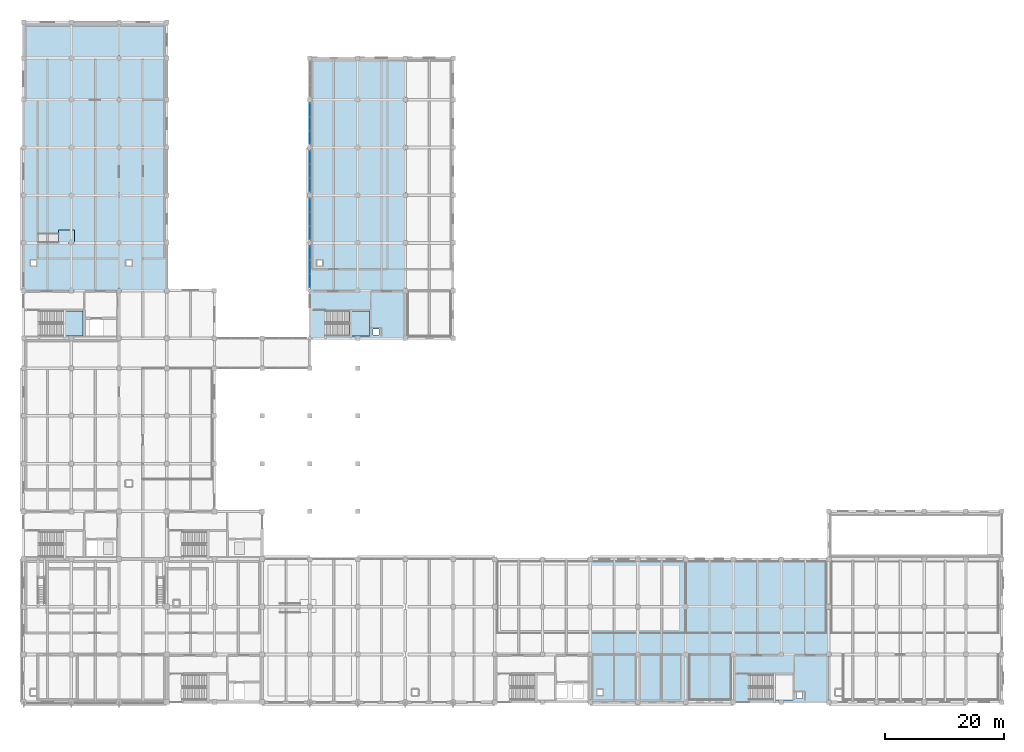
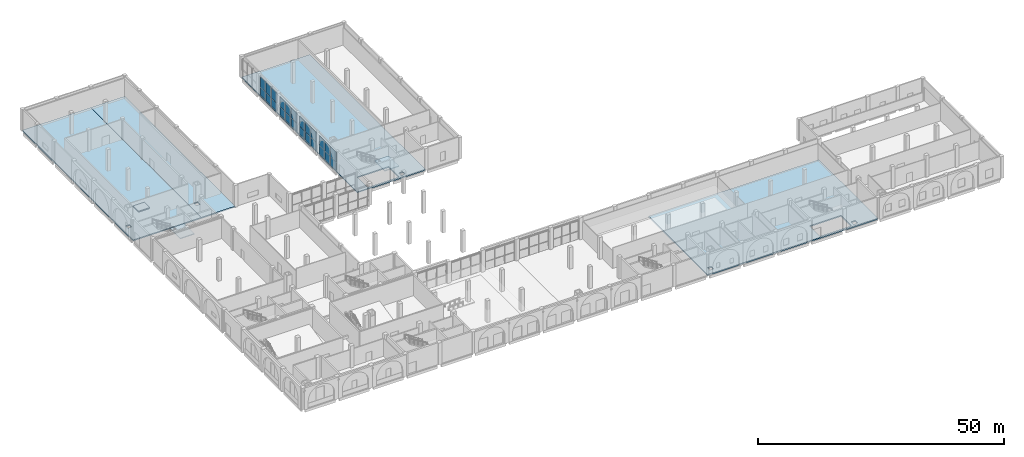
# One storey, part 14 of 40: 24 plates, 7 slabs, 6 elements without a shape of their own.
"""IFC4 building model written with IfcOpenShell, lengths in metres."""

from ifc_helpers import new_model, si_unit, direction, frame, origin, origin_2d, place, context, subcontext, project, spatial, polyline, rectangle, outline, extrude, material, layer, layer_set, type_object, element, aggregate, save


model = new_model("IFC4")

# Units and contexts
model_context = context("Model", 3, precision=1e-05, world=origin(), true_north=direction((0.0, 1.0)))
body_context = subcontext(model_context, "Body", "Model", "MODEL_VIEW")
ifc_project = project(units=[si_unit("LENGTHUNIT", "METRE"), si_unit("AREAUNIT", "SQUARE_METRE"), si_unit("VOLUMEUNIT", "CUBIC_METRE"), si_unit("PLANEANGLEUNIT", "RADIAN"), si_unit("MASSUNIT", "GRAM", prefix="KILO")], contexts=[model_context])

# Site, building, storey
site_placement = place(None, origin())
site = spatial("IfcSite", under=ifc_project, at=site_placement, CompositionType="ELEMENT")
building_placement = place(site_placement, origin())
building = spatial("IfcBuilding", under=site, at=building_placement, Name="Qorikala Patio Media Centre", CompositionType="ELEMENT")
storey_placement = place(building_placement, origin())
storey = spatial("IfcBuildingStorey", under=building, at=storey_placement, Name="L00", CompositionType="ELEMENT", Elevation=0.0)

# Curtain wall, plates
ifc_material_1 = material(Name="Bronze Anodised Aluminium and Low-E Glass", Category="aluminium")
ifc_layer_1 = layer(ifc_material_1, 0.159912109375)
ifc_layer_set_1 = layer_set([ifc_layer_1], Name="Bronze Anodised Aluminium and Low-E Glass")
curtain_wall_type = type_object("IfcCurtainWallType", Name="CW-PAT-696X475", PredefinedType="USERDEFINED", material=ifc_layer_set_1)
curtain_wall_1_placement = place(storey_placement, origin())
curtain_wall_1 = element("IfcCurtainWall", 1, at=curtain_wall_1_placement, inside=storey, type_object=curtain_wall_type, Name="L00 Courtyard Curtain Wall 010", ObjectType="COURTYARD CURTAIN WALL", PredefinedType="USERDEFINED")
ifc_material_2 = material(Name="Low-E Double Glazing Glass", Category="glass")
ifc_layer_2 = layer(ifc_material_2, 0.028076171875)
ifc_layer_set_2 = layer_set([ifc_layer_2], Name="Low-E Double Glazing Glass")
plate_type = type_object("IfcPlateType", Name="CWP-28", PredefinedType="CURTAIN_PANEL", material=ifc_layer_set_2)
plate_1_placement = place(storey_placement, frame((51.0, 73.697509765625, 0.06982421875), z_axis=(0.0, 0.0, 1.0), x_axis=(0.0, 1.0, 0.0)))
plate_1 = element("IfcPlate", 2, at=plate_1_placement, type_object=plate_type, Name="CWP696475 panel 1.1", PredefinedType="CURTAIN_PANEL", context=body_context, shape_type="SweptSolid", body=[
    extrude(rectangle(XDim=2.215087890625, YDim=0.028076171875, at=origin_2d()), origin(), (0.0, 0.0, 1.0), 2.032470703125),
])
plate_2_placement = place(storey_placement, frame((51.0, 73.697509765625, 2.17236328125), z_axis=(0.0, 0.0, 1.0), x_axis=(0.0, 1.0, 0.0)))
plate_2 = element("IfcPlate", 3, at=plate_2_placement, type_object=plate_type, Name="CWP696475 panel 1.2", PredefinedType="CURTAIN_PANEL", context=body_context, shape_type="SweptSolid", body=[
    extrude(rectangle(XDim=2.215087890625, YDim=0.028076171875, at=origin_2d()), origin(), (0.0, 0.0, 1.0), 2.507568359375),
])
plate_3_placement = place(storey_placement, frame((51.0, 76.0, 0.06982421875), z_axis=(0.0, 0.0, 1.0), x_axis=(0.0, 1.0, 0.0)))
plate_3 = element("IfcPlate", 4, at=plate_3_placement, type_object=plate_type, Name="CWP696475 panel 2.1", PredefinedType="CURTAIN_PANEL", context=body_context, shape_type="SweptSolid", body=[
    extrude(rectangle(XDim=2.25, YDim=0.028076171875, at=origin_2d()), origin(), (0.0, 0.0, 1.0), 2.032470703125),
])
plate_4_placement = place(storey_placement, frame((51.0, 76.0, 2.17236328125), z_axis=(0.0, 0.0, 1.0), x_axis=(0.0, 1.0, 0.0)))
plate_4 = element("IfcPlate", 5, at=plate_4_placement, type_object=plate_type, Name="CWP696475 panel 2.2", PredefinedType="CURTAIN_PANEL", context=body_context, shape_type="SweptSolid", body=[
    extrude(rectangle(XDim=2.25, YDim=0.028076171875, at=origin_2d()), origin(), (0.0, 0.0, 1.0), 2.507568359375),
])
plate_5_placement = place(storey_placement, frame((51.0, 78.302490234375, 0.06982421875), z_axis=(0.0, 0.0, 1.0), x_axis=(0.0, 1.0, 0.0)))
plate_5 = element("IfcPlate", 6, at=plate_5_placement, type_object=plate_type, Name="CWP696475 panel 3.1", PredefinedType="CURTAIN_PANEL", context=body_context, shape_type="SweptSolid", body=[
    extrude(rectangle(XDim=2.215087890625, YDim=0.028076171875, at=origin_2d()), origin(), (0.0, 0.0, 1.0), 2.032470703125),
])
plate_6_placement = place(storey_placement, frame((51.0, 78.302490234375, 2.17236328125), z_axis=(0.0, 0.0, 1.0), x_axis=(0.0, 1.0, 0.0)))
plate_6 = element("IfcPlate", 7, at=plate_6_placement, type_object=plate_type, Name="CWP696475 panel 3.2", PredefinedType="CURTAIN_PANEL", context=body_context, shape_type="SweptSolid", body=[
    extrude(rectangle(XDim=2.215087890625, YDim=0.028076171875, at=origin_2d()), origin(), (0.0, 0.0, 1.0), 2.507568359375),
])
aggregate(curtain_wall_1, [plate_1, plate_2, plate_3, plate_4, plate_5, plate_6])

curtain_wall_2_placement = place(storey_placement, origin())
curtain_wall_2 = element("IfcCurtainWall", 8, at=curtain_wall_2_placement, inside=storey, type_object=curtain_wall_type, Name="L00 Courtyard Curtain Wall 011", ObjectType="COURTYARD CURTAIN WALL", PredefinedType="USERDEFINED")
plate_7_placement = place(storey_placement, frame((51.0, 81.697509765625, 0.06982421875), z_axis=(0.0, 0.0, 1.0), x_axis=(0.0, 1.0, 0.0)))
plate_7 = element("IfcPlate", 9, at=plate_7_placement, type_object=plate_type, Name="CWP696475 panel 1.1", PredefinedType="CURTAIN_PANEL", context=body_context, shape_type="SweptSolid", body=[
    extrude(rectangle(XDim=2.215087890625, YDim=0.028076171875, at=origin_2d()), origin(), (0.0, 0.0, 1.0), 2.032470703125),
])
plate_8_placement = place(storey_placement, frame((51.0, 81.697509765625, 2.17236328125), z_axis=(0.0, 0.0, 1.0), x_axis=(0.0, 1.0, 0.0)))
plate_8 = element("IfcPlate", 10, at=plate_8_placement, type_object=plate_type, Name="CWP696475 panel 1.2", PredefinedType="CURTAIN_PANEL", context=body_context, shape_type="SweptSolid", body=[
    extrude(rectangle(XDim=2.215087890625, YDim=0.028076171875, at=origin_2d()), origin(), (0.0, 0.0, 1.0), 2.507568359375),
])
plate_9_placement = place(storey_placement, frame((51.0, 84.0, 0.06982421875), z_axis=(0.0, 0.0, 1.0), x_axis=(0.0, 1.0, 0.0)))
plate_9 = element("IfcPlate", 11, at=plate_9_placement, type_object=plate_type, Name="CWP696475 panel 2.1", PredefinedType="CURTAIN_PANEL", context=body_context, shape_type="SweptSolid", body=[
    extrude(rectangle(XDim=2.25, YDim=0.028076171875, at=origin_2d()), origin(), (0.0, 0.0, 1.0), 2.032470703125),
])
plate_10_placement = place(storey_placement, frame((51.0, 84.0, 2.17236328125), z_axis=(0.0, 0.0, 1.0), x_axis=(0.0, 1.0, 0.0)))
plate_10 = element("IfcPlate", 12, at=plate_10_placement, type_object=plate_type, Name="CWP696475 panel 2.2", PredefinedType="CURTAIN_PANEL", context=body_context, shape_type="SweptSolid", body=[
    extrude(rectangle(XDim=2.25, YDim=0.028076171875, at=origin_2d()), origin(), (0.0, 0.0, 1.0), 2.507568359375),
])
plate_11_placement = place(storey_placement, frame((51.0, 86.302490234375, 0.06982421875), z_axis=(0.0, 0.0, 1.0), x_axis=(0.0, 1.0, 0.0)))
plate_11 = element("IfcPlate", 13, at=plate_11_placement, type_object=plate_type, Name="CWP696475 panel 3.1", PredefinedType="CURTAIN_PANEL", context=body_context, shape_type="SweptSolid", body=[
    extrude(rectangle(XDim=2.215087890625, YDim=0.028076171875, at=origin_2d()), origin(), (0.0, 0.0, 1.0), 2.032470703125),
])
plate_12_placement = place(storey_placement, frame((51.0, 86.302490234375, 2.17236328125), z_axis=(0.0, 0.0, 1.0), x_axis=(0.0, 1.0, 0.0)))
plate_12 = element("IfcPlate", 14, at=plate_12_placement, type_object=plate_type, Name="CWP696475 panel 3.2", PredefinedType="CURTAIN_PANEL", context=body_context, shape_type="SweptSolid", body=[
    extrude(rectangle(XDim=2.215087890625, YDim=0.028076171875, at=origin_2d()), origin(), (0.0, 0.0, 1.0), 2.507568359375),
])
aggregate(curtain_wall_2, [plate_7, plate_8, plate_9, plate_10, plate_11, plate_12])

curtain_wall_3_placement = place(storey_placement, origin())
curtain_wall_3 = element("IfcCurtainWall", 15, at=curtain_wall_3_placement, inside=storey, type_object=curtain_wall_type, Name="L00 Courtyard Curtain Wall 012", ObjectType="COURTYARD CURTAIN WALL", PredefinedType="USERDEFINED")
plate_13_placement = place(storey_placement, frame((51.0, 89.697509765625, 0.06982421875), z_axis=(0.0, 0.0, 1.0), x_axis=(0.0, 1.0, 0.0)))
plate_13 = element("IfcPlate", 16, at=plate_13_placement, type_object=plate_type, Name="CWP696475 panel 1.1", PredefinedType="CURTAIN_PANEL", context=body_context, shape_type="SweptSolid", body=[
    extrude(rectangle(XDim=2.215087890625, YDim=0.028076171875, at=origin_2d()), origin(), (0.0, 0.0, 1.0), 2.032470703125),
])
plate_14_placement = place(storey_placement, frame((51.0, 89.697509765625, 2.17236328125), z_axis=(0.0, 0.0, 1.0), x_axis=(0.0, 1.0, 0.0)))
plate_14 = element("IfcPlate", 17, at=plate_14_placement, type_object=plate_type, Name="CWP696475 panel 1.2", PredefinedType="CURTAIN_PANEL", context=body_context, shape_type="SweptSolid", body=[
    extrude(rectangle(XDim=2.215087890625, YDim=0.028076171875, at=origin_2d()), origin(), (0.0, 0.0, 1.0), 2.507568359375),
])
plate_15_placement = place(storey_placement, frame((51.0, 92.0, 0.06982421875), z_axis=(0.0, 0.0, 1.0), x_axis=(0.0, 1.0, 0.0)))
plate_15 = element("IfcPlate", 18, at=plate_15_placement, type_object=plate_type, Name="CWP696475 panel 2.1", PredefinedType="CURTAIN_PANEL", context=body_context, shape_type="SweptSolid", body=[
    extrude(rectangle(XDim=2.25, YDim=0.028076171875, at=origin_2d()), origin(), (0.0, 0.0, 1.0), 2.032470703125),
])
plate_16_placement = place(storey_placement, frame((51.0, 92.0, 2.17236328125), z_axis=(0.0, 0.0, 1.0), x_axis=(0.0, 1.0, 0.0)))
plate_16 = element("IfcPlate", 19, at=plate_16_placement, type_object=plate_type, Name="CWP696475 panel 2.2", PredefinedType="CURTAIN_PANEL", context=body_context, shape_type="SweptSolid", body=[
    extrude(rectangle(XDim=2.25, YDim=0.028076171875, at=origin_2d()), origin(), (0.0, 0.0, 1.0), 2.507568359375),
])
plate_17_placement = place(storey_placement, frame((51.0, 94.302490234375, 0.06982421875), z_axis=(0.0, 0.0, 1.0), x_axis=(0.0, 1.0, 0.0)))
plate_17 = element("IfcPlate", 20, at=plate_17_placement, type_object=plate_type, Name="CWP696475 panel 3.1", PredefinedType="CURTAIN_PANEL", context=body_context, shape_type="SweptSolid", body=[
    extrude(rectangle(XDim=2.215087890625, YDim=0.028076171875, at=origin_2d()), origin(), (0.0, 0.0, 1.0), 2.032470703125),
])
plate_18_placement = place(storey_placement, frame((51.0, 94.302490234375, 2.17236328125), z_axis=(0.0, 0.0, 1.0), x_axis=(0.0, 1.0, 0.0)))
plate_18 = element("IfcPlate", 21, at=plate_18_placement, type_object=plate_type, Name="CWP696475 panel 3.2", PredefinedType="CURTAIN_PANEL", context=body_context, shape_type="SweptSolid", body=[
    extrude(rectangle(XDim=2.215087890625, YDim=0.028076171875, at=origin_2d()), origin(), (0.0, 0.0, 1.0), 2.507568359375),
])
aggregate(curtain_wall_3, [plate_13, plate_14, plate_15, plate_16, plate_17, plate_18])

curtain_wall_4_placement = place(storey_placement, origin())
curtain_wall_4 = element("IfcCurtainWall", 22, at=curtain_wall_4_placement, inside=storey, type_object=curtain_wall_type, Name="L00 Courtyard Curtain Wall 013", ObjectType="COURTYARD CURTAIN WALL", PredefinedType="USERDEFINED")
plate_19_placement = place(storey_placement, frame((51.0, 97.697509765625, 0.06982421875), z_axis=(0.0, 0.0, 1.0), x_axis=(0.0, 1.0, 0.0)))
plate_19 = element("IfcPlate", 23, at=plate_19_placement, type_object=plate_type, Name="CWP696475 panel 1.1", PredefinedType="CURTAIN_PANEL", context=body_context, shape_type="SweptSolid", body=[
    extrude(rectangle(XDim=2.215087890625, YDim=0.028076171875, at=origin_2d()), origin(), (0.0, 0.0, 1.0), 2.032470703125),
])
plate_20_placement = place(storey_placement, frame((51.0, 97.697509765625, 2.17236328125), z_axis=(0.0, 0.0, 1.0), x_axis=(0.0, 1.0, 0.0)))
plate_20 = element("IfcPlate", 24, at=plate_20_placement, type_object=plate_type, Name="CWP696475 panel 1.2", PredefinedType="CURTAIN_PANEL", context=body_context, shape_type="SweptSolid", body=[
    extrude(rectangle(XDim=2.215087890625, YDim=0.028076171875, at=origin_2d()), origin(), (0.0, 0.0, 1.0), 2.507568359375),
])
plate_21_placement = place(storey_placement, frame((51.0, 100.0, 0.06982421875), z_axis=(0.0, 0.0, 1.0), x_axis=(0.0, 1.0, 0.0)))
plate_21 = element("IfcPlate", 25, at=plate_21_placement, type_object=plate_type, Name="CWP696475 panel 2.1", PredefinedType="CURTAIN_PANEL", context=body_context, shape_type="SweptSolid", body=[
    extrude(rectangle(XDim=2.25, YDim=0.028076171875, at=origin_2d()), origin(), (0.0, 0.0, 1.0), 2.032470703125),
])
plate_22_placement = place(storey_placement, frame((51.0, 100.0, 2.17236328125), z_axis=(0.0, 0.0, 1.0), x_axis=(0.0, 1.0, 0.0)))
plate_22 = element("IfcPlate", 26, at=plate_22_placement, type_object=plate_type, Name="CWP696475 panel 2.2", PredefinedType="CURTAIN_PANEL", context=body_context, shape_type="SweptSolid", body=[
    extrude(rectangle(XDim=2.25, YDim=0.028076171875, at=origin_2d()), origin(), (0.0, 0.0, 1.0), 2.507568359375),
])
plate_23_placement = place(storey_placement, frame((51.0, 102.302490234375, 0.06982421875), z_axis=(0.0, 0.0, 1.0), x_axis=(0.0, 1.0, 0.0)))
plate_23 = element("IfcPlate", 27, at=plate_23_placement, type_object=plate_type, Name="CWP696475 panel 3.1", PredefinedType="CURTAIN_PANEL", context=body_context, shape_type="SweptSolid", body=[
    extrude(rectangle(XDim=2.215087890625, YDim=0.028076171875, at=origin_2d()), origin(), (0.0, 0.0, 1.0), 2.032470703125),
])
plate_24_placement = place(storey_placement, frame((51.0, 102.302490234375, 2.17236328125), z_axis=(0.0, 0.0, 1.0), x_axis=(0.0, 1.0, 0.0)))
plate_24 = element("IfcPlate", 28, at=plate_24_placement, type_object=plate_type, Name="CWP696475 panel 3.2", PredefinedType="CURTAIN_PANEL", context=body_context, shape_type="SweptSolid", body=[
    extrude(rectangle(XDim=2.215087890625, YDim=0.028076171875, at=origin_2d()), origin(), (0.0, 0.0, 1.0), 2.507568359375),
])
aggregate(curtain_wall_4, [plate_19, plate_20, plate_21, plate_22, plate_23, plate_24])

# Slab
ifc_material_3 = material(Name="Concrete C35/45", Category="concrete")
ifc_layer_3 = layer(ifc_material_3, 0.300048828125)
ifc_layer_set_3 = layer_set([ifc_layer_3], Name="Concrete C35/45")
slab_type_1 = type_object("IfcSlabType", Name="SL-FLOOR-300", PredefinedType="FLOOR", material=ifc_layer_set_3)
slab_1_placement = place(storey_placement, frame((0.0, 0.0, -0.300048828125)))
element("IfcSlab", 29, at=slab_1_placement, inside=storey, type_object=slab_type_1, Name="L00 V7A Slab 11.1", PredefinedType="FLOOR", context=body_context, shape_type="SweptSolid", body=[
    extrude(outline(polyline([(138.0, 3.0), (98.0, 3.0), (98.0, 27.0), (138.0, 27.0), (138.0, 3.0)]), holes=[polyline([(133.60009765625, 3.60009765625), (133.60009765625, 4.60009765625), (132.60009765625, 4.60009765625), (132.60009765625, 3.60009765625), (133.60009765625, 3.60009765625)]), polyline([(99.199951171875, 4.199951171875), (100.10009765625, 4.199951171875), (100.10009765625, 5.10009765625), (99.199951171875, 5.10009765625), (99.199951171875, 4.199951171875)]), polyline([(124.60009765625, 3.39990234375), (132.0, 3.39990234375), (132.0, 7.60009765625), (124.60009765625, 7.60009765625), (124.60009765625, 3.39990234375)])]), origin(), (0.0, 0.0, 1.0), 0.300048828125),
])

# Stair, slab
ifc_material_4 = material(Name="Precast concrete C40/50", Category="concrete")
stair_type = type_object("IfcStairType", Name="ST-DL-30R180W200", PredefinedType="HALF_TURN_STAIR", material=ifc_material_4)
stair_1_placement = place(storey_placement, origin())
stair_1 = element("IfcStair", 30, at=stair_1_placement, inside=storey, type_object=stair_type, Name="L00 Core C3 Exit Stair ST-3", PredefinedType="HALF_TURN_STAIR")
ifc_layer_4 = layer(ifc_material_4, 0.199951171875)
ifc_layer_set_4 = layer_set([ifc_layer_4], Name="Precast concrete C40/50")
slab_type_2 = type_object("IfcSlabType", Name="SL-LAND-200", PredefinedType="LANDING", material=ifc_layer_set_4)
slab_2_placement = place(storey_placement, frame((0.0, 0.0, 2.5)))
slab_2 = element("IfcSlab", 31, at=slab_2_placement, type_object=slab_type_2, Name="ST-3 landing 1", PredefinedType="LANDING", context=body_context, shape_type="SweptSolid", body=[
    extrude(outline(polyline([(9.659912109375, 64.39990234375), (13.0, 64.39990234375), (13.0, 68.60009765625), (9.659912109375, 68.60009765625), (9.659912109375, 64.39990234375)])), origin(), (0.0, 0.0, 1.0), 0.199951171875),
])
aggregate(stair_1, [slab_2])

stair_2_placement = place(storey_placement, origin())
stair_2 = element("IfcStair", 32, at=stair_2_placement, inside=storey, type_object=stair_type, Name="L00 Core C6 Exit Stair ST-6", PredefinedType="HALF_TURN_STAIR")
slab_3_placement = place(storey_placement, frame((0.0, 0.0, 2.5)))
slab_3 = element("IfcSlab", 33, at=slab_3_placement, type_object=slab_type_2, Name="ST-6 landing 1", PredefinedType="LANDING", context=body_context, shape_type="SweptSolid", body=[
    extrude(outline(polyline([(57.659912109375, 64.39990234375), (61.0, 64.39990234375), (61.0, 68.60009765625), (57.659912109375, 68.60009765625), (57.659912109375, 64.39990234375)])), origin(), (0.0, 0.0, 1.0), 0.199951171875),
])
aggregate(stair_2, [slab_3])

# Slabs
ifc_layer_5 = layer(ifc_material_3, 0.280029296875)
ifc_layer_set_5 = layer_set([ifc_layer_5], Name="Concrete C35/45")
slab_type_3 = type_object("IfcSlabType", Name="SL-STUDIO-280", PredefinedType="FLOOR", material=ifc_layer_set_5)
slab_4_placement = place(storey_placement, frame((0.0, 0.0, -0.280029296875)))
element("IfcSlab", 34, at=slab_4_placement, inside=storey, type_object=slab_type_3, Name="L00 V4A Slab 7.1", PredefinedType="FLOOR", context=body_context, shape_type="SweptSolid", body=[
    extrude(outline(polyline([(19.0, 117.0), (19.0, 72.0), (3.0, 72.0), (3.0, 117.0), (19.0, 117.0)]), holes=[polyline([(4.199951171875, 76.199951171875), (5.10009765625, 76.199951171875), (5.10009765625, 77.10009765625), (4.199951171875, 77.10009765625), (4.199951171875, 76.199951171875)])]), origin(), (0.0, 0.0, 1.0), 0.280029296875),
])
slab_5_placement = place(storey_placement, frame((0.0, 0.0, -0.280029296875)))
element("IfcSlab", 35, at=slab_5_placement, inside=storey, type_object=slab_type_3, Name="L00 V4B Slab 8.1", PredefinedType="FLOOR", context=body_context, shape_type="SweptSolid", body=[
    extrude(outline(polyline([(27.0, 72.0), (19.0, 72.0), (19.0, 117.0), (27.0, 117.0), (27.0, 72.0)]), holes=[polyline([(20.199951171875, 76.199951171875), (21.10009765625, 76.199951171875), (21.10009765625, 77.10009765625), (20.199951171875, 77.10009765625), (20.199951171875, 76.199951171875)])]), origin(), (0.0, 0.0, 1.0), 0.280029296875),
])
slab_6_placement = place(storey_placement, frame((0.0, 0.0, -0.280029296875)))
element("IfcSlab", 36, at=slab_6_placement, inside=storey, type_object=slab_type_3, Name="L00 V5A Slab 9.1", PredefinedType="FLOOR", context=body_context, shape_type="SweptSolid", body=[
    extrude(outline(polyline([(51.0, 111.0), (67.0, 111.0), (67.0, 64.0), (51.0, 64.0), (51.0, 111.0)]), holes=[polyline([(62.60009765625, 64.60009765625), (62.60009765625, 65.60009765625), (61.60009765625, 65.60009765625), (61.60009765625, 64.60009765625), (62.60009765625, 64.60009765625)]), polyline([(53.60009765625, 64.39990234375), (61.0, 64.39990234375), (61.0, 68.60009765625), (53.60009765625, 68.60009765625), (53.60009765625, 64.39990234375)]), polyline([(52.199951171875, 76.199951171875), (53.10009765625, 76.199951171875), (53.10009765625, 77.10009765625), (52.199951171875, 77.10009765625), (52.199951171875, 76.199951171875)])]), origin(), (0.0, 0.0, 1.0), 0.280029296875),
])
slab_7_placement = place(storey_placement, origin())
element("IfcSlab", 37, at=slab_7_placement, inside=storey, type_object=slab_type_3, Name="L00 Accessible Raised Platform RP-01", PredefinedType="FLOOR", context=body_context, shape_type="SweptSolid", body=[
    extrude(outline(polyline([(8.860107421875, 80.0), (11.5, 80.0), (11.5, 82.199951171875), (8.860107421875, 82.199951171875), (8.860107421875, 80.0)])), origin(), (0.0, 0.0, 1.0), 0.239990234375),
])

save(model, "model.ifc")
